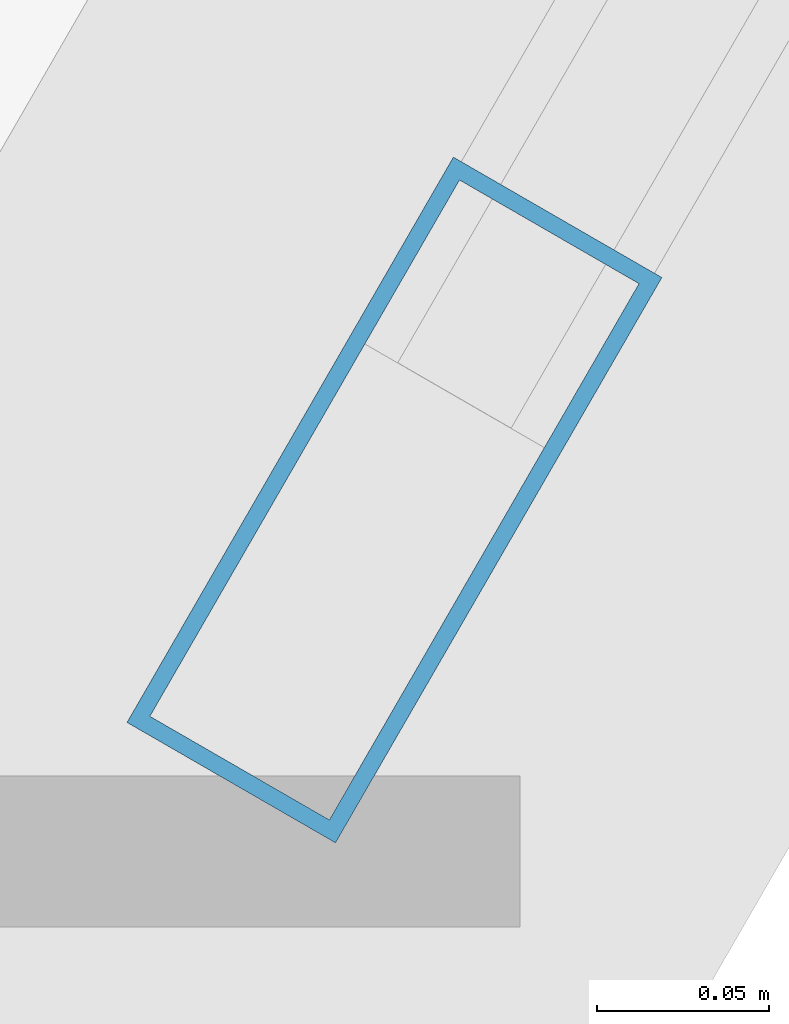
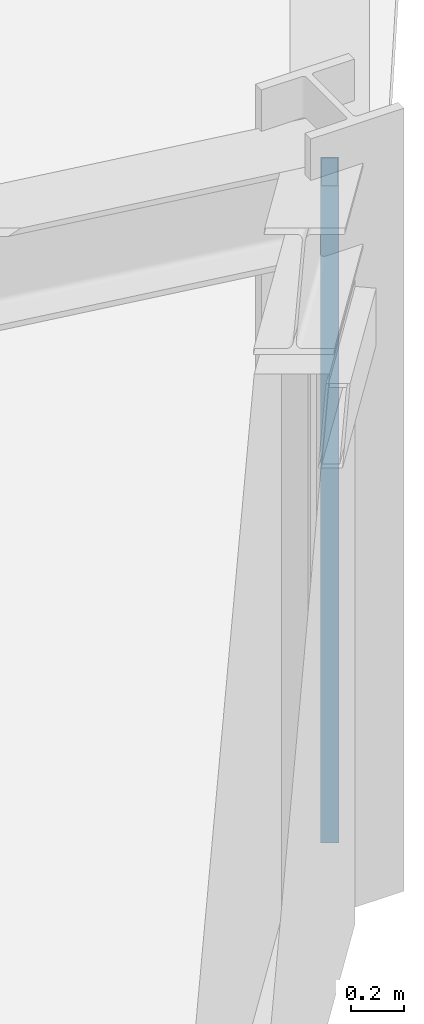
# One storey, part 4 of 16: 1 member, 1 element without a shape of its own.
"""IFC4 building model written with IfcOpenShell, lengths in metres."""

from ifc_helpers import new_model, si_unit, derived_unit, direction, frame, origin, origin_2d, place, context, subcontext, project, spatial, hollow_rectangle, extrude, source, transform, mapped, material, layer, layer_set, material_profile, profile_set, type_object, element, aggregate, save


model = new_model("IFC4")

# Units and contexts
model_context = context("Model", 3, precision=1e-05, world=origin(), true_north=direction((0.0, 1.0)))
body_context = subcontext(model_context, "Body", "Model", "MODEL_VIEW")
ifc_project = project(units=[si_unit("LENGTHUNIT", "METRE"), si_unit("AREAUNIT", "SQUARE_METRE"), si_unit("VOLUMEUNIT", "CUBIC_METRE"), si_unit("PLANEANGLEUNIT", "RADIAN"), si_unit("MASSUNIT", "GRAM", prefix="KILO"), derived_unit("THERMALTRANSMITTANCEUNIT", [(si_unit("POWERUNIT", "WATT"), 1), (si_unit("LENGTHUNIT", "METRE"), -2), (si_unit("THERMODYNAMICTEMPERATUREUNIT", "KELVIN"), -1)])], contexts=[model_context])

# Site, building, storey
site_placement = place(None, origin())
site = spatial("IfcSite", under=ifc_project, at=site_placement, CompositionType="ELEMENT")
building_placement = place(site_placement, origin())
building = spatial("IfcBuilding", under=site, at=building_placement, Name="Korsvarv Bourse and Concert Hall", CompositionType="ELEMENT")
storey_placement = place(building_placement, frame((0.0, 0.0, 216.60009765625)))
storey = spatial("IfcBuildingStorey", under=building, at=storey_placement, Name="L56", CompositionType="ELEMENT", Elevation=216.60009765625)

# Curtain wall, member
ifc_material_1 = material(Name="Anodised aluminium and triple low-E glazing", Category="glass")
ifc_layer = layer(ifc_material_1, 0.199951171875)
ifc_layer_set = layer_set([ifc_layer], Name="Anodised aluminium and triple low-E glazing")
curtain_wall_type = type_object("IfcCurtainWallType", Name="CW-SYS-3", PredefinedType="NOTDEFINED", material=ifc_layer_set)
curtain_wall_placement = place(storey_placement, origin())
curtain_wall = element("IfcCurtainWall", 1, at=curtain_wall_placement, inside=storey, type_object=curtain_wall_type, Name="L56 CW3 curtain wall CW-L56-F11", PredefinedType="NOTDEFINED")
ifc_material_2 = material(Name="Extruded aluminium EN AW-6063 T66", Category="aluminium")
ifc_material_profile = material_profile(ifc_material_2, hollow_rectangle(XDim=0.070068359375, YDim=0.18994140625, WallThickness=0.0048828125, at=origin_2d()), Name="ALU-M 70x190")
ifc_profile_set = profile_set([ifc_material_profile], Name="Extruded aluminium EN AW-6063 T66")
member_type = type_object("IfcMemberType", Name="CWM-190", PredefinedType="MULLION", material=ifc_profile_set)
shared_shape = source(origin(), body_context, "Body", "SweptSolid", [
    extrude(hollow_rectangle(XDim=0.070068359375, YDim=0.18994140625, WallThickness=0.0048828125, at=origin_2d()), origin(), (0.0, 0.0, 1.0), 3.02001953125),
])
member_placement = place(storey_placement, frame((50.68701171875, 23.26416015625, 0.0), z_axis=(0.0, 0.0, 1.0), x_axis=(-0.866029815681, 0.499992358293, 0.0)))
member = element("IfcMember", 2, at=member_placement, type_object=member_type, Name="CW3 mullion 1", PredefinedType="MULLION", context=body_context, shape_type="MappedRepresentation", body=[
    mapped(shared_shape, transform((0.0, 0.0, 0.0), scale=1.0)),
])
aggregate(curtain_wall, [member])

save(model, "model.ifc")
